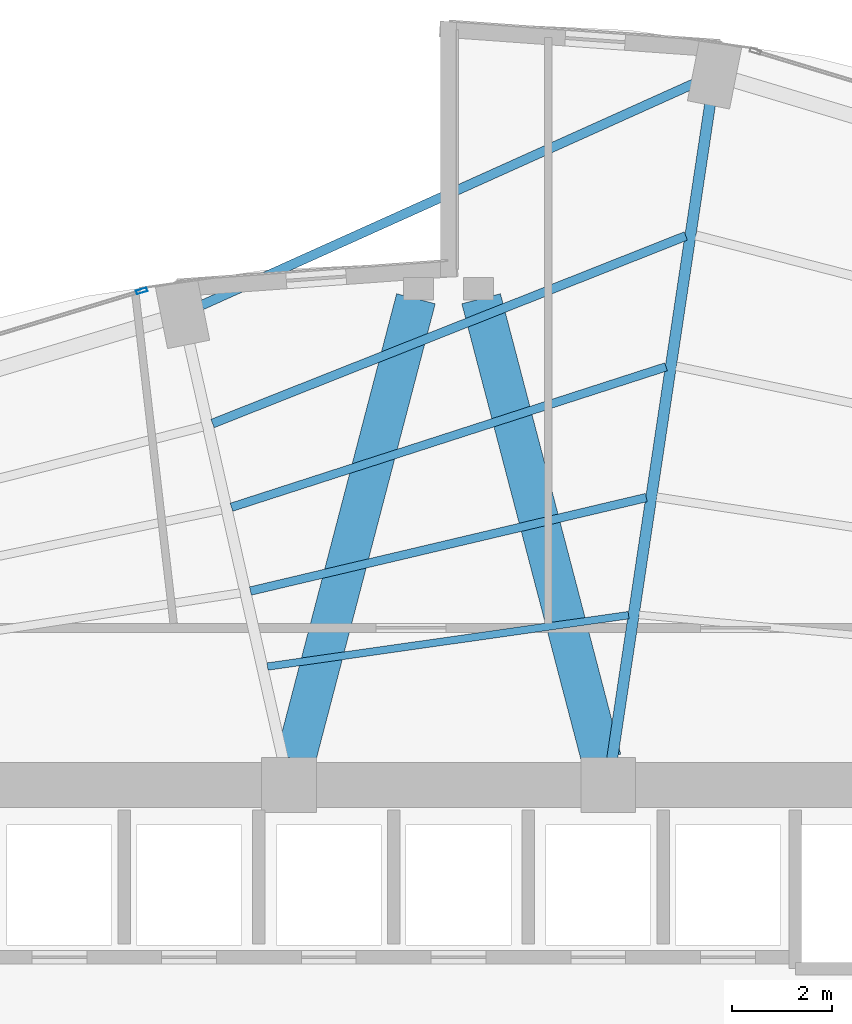
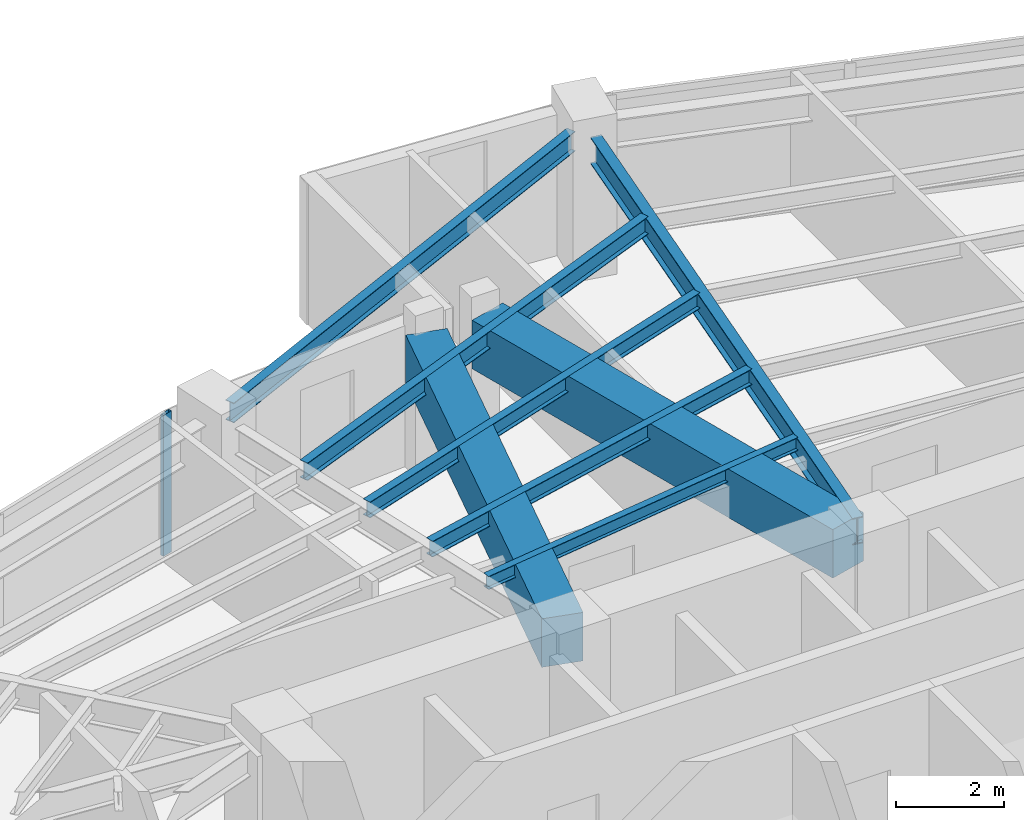
# One storey, part 15 of 24: 8 beams, 1 member, 1 element without a shape of its own.
"""IFC4 building model written with IfcOpenShell, lengths in metres."""

from ifc_helpers import new_model, si_unit, direction, frame, origin, origin_2d, place, context, subcontext, project, spatial, rectangle, hollow_rectangle, i_section, extrude, material, layer, layer_set, material_profile, profile_set, type_object, element, aggregate, save


model = new_model("IFC4")

# Units and contexts
model_context = context("Model", 3, precision=1e-05, world=origin(), true_north=direction((0.0, 1.0)))
body_context = subcontext(model_context, "Body", "Model", "MODEL_VIEW")
ifc_project = project(units=[si_unit("LENGTHUNIT", "METRE"), si_unit("AREAUNIT", "SQUARE_METRE"), si_unit("VOLUMEUNIT", "CUBIC_METRE"), si_unit("PLANEANGLEUNIT", "RADIAN"), si_unit("MASSUNIT", "GRAM", prefix="KILO")], contexts=[model_context])

# Site, building, storey
site_placement = place(None, origin())
site = spatial("IfcSite", under=ifc_project, at=site_placement, CompositionType="ELEMENT")
building_placement = place(site_placement, origin())
building = spatial("IfcBuilding", under=site, at=building_placement, Name="Lazwardi Medical Tower", CompositionType="ELEMENT")
storey_placement = place(building_placement, frame((0.0, 0.0, 72.6240234375)))
storey = spatial("IfcBuildingStorey", under=building, at=storey_placement, Name="L18", CompositionType="ELEMENT", Elevation=72.6240234375)

# Beams
ifc_material_1 = material(Name="Concrete C70/85", Category="concrete")
ifc_material_profile_1 = material_profile(ifc_material_1, rectangle(XDim=0.800048828125, YDim=1.10009765625, at=origin_2d()), Name="RC 800x1100")
ifc_profile_set_1 = profile_set([ifc_material_profile_1], Name="Concrete C70/85")
beam_type_1 = type_object("IfcBeamType", Name="BM-CB-RC1", PredefinedType="LINTEL", material=ifc_profile_set_1)
for number, where, z_axis, x_axis, name in (
    (1, (32.935302734375, 36.11767578125, 2.64794921875), (0.252819877511, 0.967513364009, 0.0), (-0.967513364009, 0.252819877511, 0.0), "Core coupling lintel CB-01 PL1 L18"),
    (2, (39.064697265625, 36.11767578125, 2.64794921875), (-0.252819877511, 0.967513364009, 0.0), (-0.967513364009, -0.252819877511, 0.0), "Core coupling lintel CB-01 PL2 L18"),
):
    element("IfcBeam", number, at=place(storey_placement, frame(where, z_axis=z_axis, x_axis=x_axis)), inside=storey, type_object=beam_type_1, Name=name, PredefinedType="LINTEL", context=body_context, shape_type="SweptSolid", body=[
        extrude(rectangle(XDim=0.800048828125, YDim=1.10009765625, at=origin_2d()), origin(), (0.0, 0.0, 1.0), 9.538818359375),
    ])
ifc_material_2 = material(Name="Steel S355", Category="steel")
ifc_material_profile_2 = material_profile(ifc_material_2, i_section(OverallWidth=0.219970703125, OverallDepth=0.60009765625, WebThickness=0.011962890625, FlangeThickness=0.01904296875, at=origin_2d()), Name="IPE 600")
ifc_profile_set_2 = profile_set([ifc_material_profile_2], Name="Steel S355")
beam_type_2 = type_object("IfcBeamType", Name="BM-RG-W1", PredefinedType="BEAM", material=ifc_profile_set_2)
beam_1_placement = place(storey_placement, frame((41.2451171875, 49.2705078125, 2.89794921875), z_axis=(-0.147944218183, -0.98899570692, 0.0), x_axis=(0.98899570692, -0.147944218183, 0.0)))
element("IfcBeam", 3, at=beam_1_placement, inside=storey, type_object=beam_type_2, Name="Radial girder RG-02 R08 L18", PredefinedType="BEAM", context=body_context, shape_type="SweptSolid", body=[
    extrude(i_section(OverallWidth=0.219970703125, OverallDepth=0.60009765625, WebThickness=0.011962890625, FlangeThickness=0.01904296875, at=origin_2d()), origin(), (0.0, 0.0, 1.0), 13.28759765625),
])
ifc_material_profile_3 = material_profile(ifc_material_2, i_section(OverallWidth=0.179931640625, OverallDepth=0.39990234375, WebThickness=0.008544921875, FlangeThickness=0.013427734375, at=origin_2d()), Name="IPE 400")
ifc_profile_set_3 = profile_set([ifc_material_profile_3], Name="Steel S355")
beam_type_3 = type_object("IfcBeamType", Name="BM-SJ-01", PredefinedType="JOIST", material=ifc_profile_set_3)
beam_2_placement = place(storey_placement, frame((40.754150390625, 46.603515625, 2.998046875), z_axis=(-0.929663713752, -0.368409255222, 0.0), x_axis=(0.368409255222, -0.929663713752, 0.0)))
element("IfcBeam", 4, at=beam_2_placement, inside=storey, type_object=beam_type_3, Name="Secondary joist SJ-01 R1 B08 L18", PredefinedType="JOIST", context=body_context, shape_type="SweptSolid", body=[
    extrude(i_section(OverallWidth=0.179931640625, OverallDepth=0.39990234375, WebThickness=0.008544921875, FlangeThickness=0.013427734375, at=origin_2d()), origin(), (0.0, 0.0, 1.0), 10.2001953125),
])
ifc_material_profile_4 = material_profile(ifc_material_2, i_section(OverallWidth=0.169921875, OverallDepth=0.360107421875, WebThickness=0.008056640625, FlangeThickness=0.0126953125, at=origin_2d()), Name="IPE 360")
ifc_profile_set_4 = profile_set([ifc_material_profile_4], Name="Steel S355")
beam_type_4 = type_object("IfcBeamType", Name="BM-SJ-02", PredefinedType="JOIST", material=ifc_profile_set_4)
beam_3_placement = place(storey_placement, frame((40.35888671875, 43.981689453125, 3.01806640625), z_axis=(-0.951558895485, -0.307466532199, 0.0), x_axis=(0.307466532199, -0.951558895485, 0.0)))
element("IfcBeam", 5, at=beam_3_placement, inside=storey, type_object=beam_type_4, Name="Secondary joist SJ-02 R2 B08 L18", PredefinedType="JOIST", context=body_context, shape_type="SweptSolid", body=[
    extrude(i_section(OverallWidth=0.169921875, OverallDepth=0.360107421875, WebThickness=0.008056640625, FlangeThickness=0.0126953125, at=origin_2d()), origin(), (0.0, 0.0, 1.0), 9.1513671875),
])
beam_4_placement = place(storey_placement, frame((39.96337890625, 41.361572265625, 3.01806640625), z_axis=(-0.973240904247, -0.229787167397, 0.0), x_axis=(0.229787167397, -0.973240904247, 0.0)))
element("IfcBeam", 6, at=beam_4_placement, inside=storey, type_object=beam_type_4, Name="Secondary joist SJ-02 R3 B08 L18", PredefinedType="JOIST", context=body_context, shape_type="SweptSolid", body=[
    extrude(i_section(OverallWidth=0.169921875, OverallDepth=0.360107421875, WebThickness=0.008056640625, FlangeThickness=0.0126953125, at=origin_2d()), origin(), (0.0, 0.0, 1.0), 8.151123046875),
])
ifc_material_profile_5 = material_profile(ifc_material_2, i_section(OverallWidth=0.14990234375, OverallDepth=0.300048828125, WebThickness=0.007080078125, FlangeThickness=0.0107421875, at=origin_2d()), Name="IPE 300")
ifc_profile_set_5 = profile_set([ifc_material_profile_5], Name="Steel S355")
beam_type_5 = type_object("IfcBeamType", Name="BM-SJ-03", PredefinedType="JOIST", material=ifc_profile_set_5)
beam_5_placement = place(storey_placement, frame((39.607666015625, 39.00537109375, 3.048095703125), z_axis=(-0.99001552228, -0.140958382672, 0.0), x_axis=(0.140958382672, -0.99001552228, 0.0)))
element("IfcBeam", 7, at=beam_5_placement, inside=storey, type_object=beam_type_5, Name="Secondary joist SJ-03 R4 B08 L18", PredefinedType="JOIST", context=body_context, shape_type="SweptSolid", body=[
    extrude(i_section(OverallWidth=0.14990234375, OverallDepth=0.300048828125, WebThickness=0.007080078125, FlangeThickness=0.0107421875, at=origin_2d()), origin(), (0.0, 0.0, 1.0), 7.30908203125),
])
ifc_material_profile_6 = material_profile(ifc_material_2, i_section(OverallWidth=0.18994140625, OverallDepth=0.449951171875, WebThickness=0.009521484375, FlangeThickness=0.0146484375, at=origin_2d()), Name="IPE 450")
ifc_profile_set_6 = profile_set([ifc_material_profile_6], Name="Steel S355")
beam_type_6 = type_object("IfcBeamType", Name="BM-SP-01", PredefinedType="SPANDREL", material=ifc_profile_set_6)
beam_6_placement = place(storey_placement, frame((40.94775390625, 49.671630859375, 2.972900390625), z_axis=(-0.91184908894, -0.410525564368, 0.0), x_axis=(0.410525564368, -0.91184908894, 0.0)))
element("IfcBeam", 8, at=beam_6_placement, inside=storey, type_object=beam_type_6, Name="Spandrel beam SP-01 B08 L18", PredefinedType="SPANDREL", context=body_context, shape_type="SweptSolid", body=[
    extrude(i_section(OverallWidth=0.18994140625, OverallDepth=0.449951171875, WebThickness=0.009521484375, FlangeThickness=0.0146484375, at=origin_2d()), origin(), (0.0, 0.0, 1.0), 10.85205078125),
])

# Curtain wall, member
ifc_material_3 = material(Name="Anodised bronze aluminium and solar control glazing", Category="aluminium")
ifc_layer = layer(ifc_material_3, 0.199951171875)
ifc_layer_set = layer_set([ifc_layer], Name="Anodised bronze aluminium and solar control glazing")
curtain_wall_type = type_object("IfcCurtainWallType", Name="CW-SYS-02", PredefinedType="NOTDEFINED", material=ifc_layer_set)
curtain_wall_placement = place(storey_placement, origin())
curtain_wall = element("IfcCurtainWall", 9, at=curtain_wall_placement, inside=storey, type_object=curtain_wall_type, Name="L18 Unitised bronze curtain wall CW-02", PredefinedType="NOTDEFINED")
ifc_material_4 = material(Name="Anodised bronze aluminium", Category="aluminium")
ifc_material_profile_7 = material_profile(ifc_material_4, hollow_rectangle(XDim=0.074951171875, YDim=0.219970703125, WallThickness=0.00390625, at=origin_2d()), Name="ALU-MULLION 220x75x4")
ifc_profile_set_7 = profile_set([ifc_material_profile_7], Name="Anodised bronze aluminium")
member_type = type_object("IfcMemberType", Name="CW-MUL-01", PredefinedType="MULLION", material=ifc_profile_set_7)
member_placement = place(storey_placement, frame((29.85205078125, 45.503662109375, 0.0), z_axis=(0.0, 0.0, 1.0), x_axis=(0.2898956909, -0.957058247129, 0.0)))
member = element("IfcMember", 10, at=member_placement, type_object=member_type, Name="CW-02 mullion 1", PredefinedType="MULLION", context=body_context, shape_type="SweptSolid", body=[
    extrude(hollow_rectangle(XDim=0.074951171875, YDim=0.219970703125, WallThickness=0.00390625, at=origin_2d()), origin(), (0.0, 0.0, 1.0), 3.197998046875),
])
aggregate(curtain_wall, [member])

save(model, "model.ifc")
